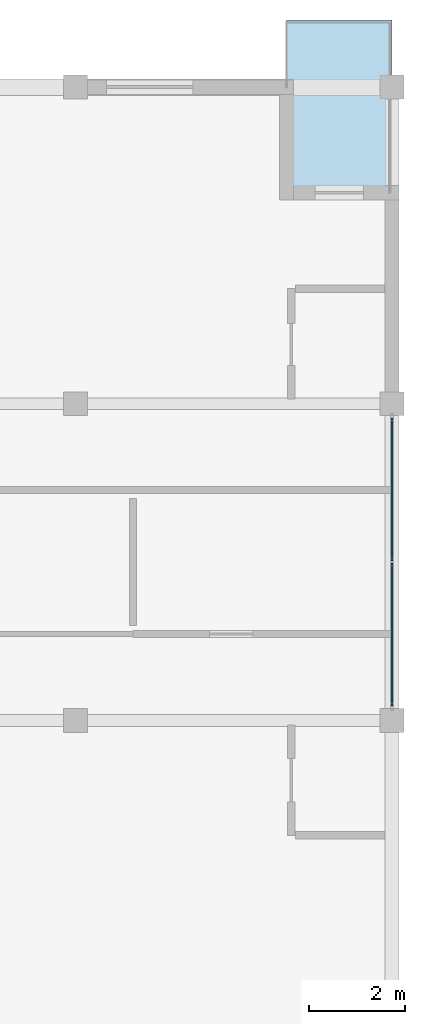
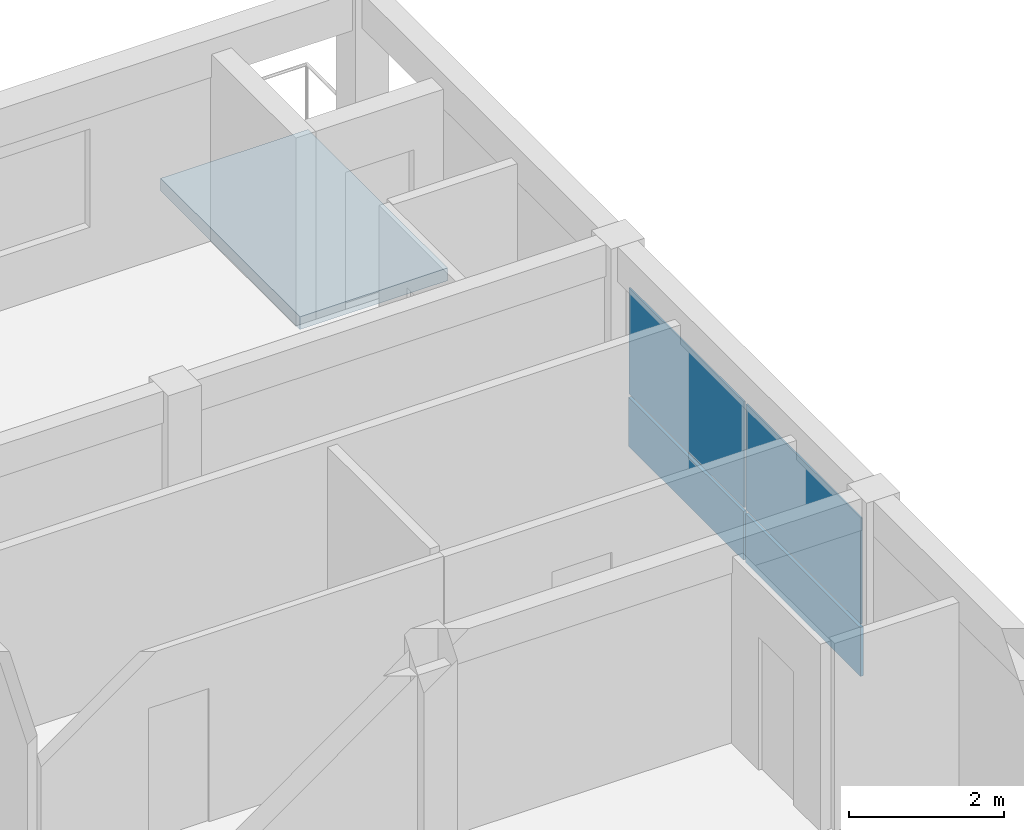
# One storey, part 23 of 45: 4 plates, 1 slab, 1 element without a shape of its own.
"""IFC4 building model written with IfcOpenShell, lengths in metres."""

from ifc_helpers import new_model, si_unit, direction, frame, origin, origin_2d, place, context, subcontext, project, spatial, polyline, rectangle, outline, extrude, material, layer, layer_set, type_object, element, aggregate, save


model = new_model("IFC4")

# Units and contexts
model_context = context("Model", 3, precision=1e-05, world=origin(), true_north=direction((0.0, 1.0)))
body_context = subcontext(model_context, "Body", "Model", "MODEL_VIEW")
ifc_project = project(units=[si_unit("LENGTHUNIT", "METRE"), si_unit("AREAUNIT", "SQUARE_METRE"), si_unit("VOLUMEUNIT", "CUBIC_METRE"), si_unit("PLANEANGLEUNIT", "RADIAN"), si_unit("MASSUNIT", "GRAM", prefix="KILO")], contexts=[model_context])

# Site, building, storey
site_placement = place(None, origin())
site = spatial("IfcSite", under=ifc_project, at=site_placement, CompositionType="ELEMENT")
building_placement = place(site_placement, origin())
building = spatial("IfcBuilding", under=site, at=building_placement, Name="Kernevlak Ridge Housing Community", CompositionType="ELEMENT")
storey_placement = place(building_placement, frame((0.0, 0.0, 14.800048828125)))
storey = spatial("IfcBuildingStorey", under=building, at=storey_placement, Name="L04", CompositionType="ELEMENT", Elevation=14.800048828125)

# Curtain wall, plates
ifc_material_1 = material(Name="Aluminium EN AW-6060 anodised and laminated glass", Category="aluminium")
curtain_wall_type = type_object("IfcCurtainWallType", Name="CW-12", PredefinedType="NOTDEFINED", material=ifc_material_1)
curtain_wall_placement = place(storey_placement, origin())
curtain_wall = element("IfcCurtainWall", 1, at=curtain_wall_placement, inside=storey, type_object=curtain_wall_type, Name="Curtain wall CW-12 CW-L04-069", PredefinedType="NOTDEFINED")
ifc_material_2 = material(Name="Solar-control double glazing glass", Category="glass")
ifc_layer_1 = layer(ifc_material_2, 0.02392578125, Name="Solar-control double glazing glass")
ifc_layer_set_1 = layer_set([ifc_layer_1], Name="Solar-control double glazing glass")
plate_type_1 = type_object("IfcPlateType", Name="CP-01", PredefinedType="CURTAIN_PANEL", material=ifc_layer_set_1)
plate_1_placement = place(storey_placement, frame((152.39990234375, 90.98876953125, 0.87744140625), z_axis=(0.0, 0.0, 1.0), x_axis=(0.0, 1.0, 0.0)))
plate_1 = element("IfcPlate", 2, at=plate_1_placement, type_object=plate_type_1, Name="CW-12 panel 1.2", PredefinedType="CURTAIN_PANEL", context=body_context, shape_type="SweptSolid", body=[
    extrude(rectangle(XDim=2.967529296875, YDim=0.02392578125, at=origin_2d()), origin(), (0.0, 0.0, 1.0), 1.66748046875),
])
plate_2_placement = place(storey_placement, frame((152.39990234375, 94.01123046875, 0.87744140625), z_axis=(0.0, 0.0, 1.0), x_axis=(0.0, 1.0, 0.0)))
plate_2 = element("IfcPlate", 3, at=plate_2_placement, type_object=plate_type_1, Name="CW-12 panel 2.2", PredefinedType="CURTAIN_PANEL", context=body_context, shape_type="SweptSolid", body=[
    extrude(rectangle(XDim=2.967529296875, YDim=0.02392578125, at=origin_2d()), origin(), (0.0, 0.0, 1.0), 1.66748046875),
])
ifc_material_3 = material(Name="Aluminium EN AW-5005 insulated panel", Category="aluminium")
ifc_layer_2 = layer(ifc_material_3, 0.0458984375, Name="Aluminium EN AW-5005 insulated panel")
ifc_layer_set_2 = layer_set([ifc_layer_2], Name="Aluminium EN AW-5005 insulated panel")
plate_type_2 = type_object("IfcPlateType", Name="CP-06", PredefinedType="CURTAIN_PANEL", material=ifc_layer_set_2)
plate_3_placement = place(storey_placement, frame((152.39990234375, 90.98876953125, 0.054931640625), z_axis=(0.0, 0.0, 1.0), x_axis=(0.0, 1.0, 0.0)))
plate_3 = element("IfcPlate", 4, at=plate_3_placement, type_object=plate_type_2, Name="CW-12 panel 1.1", PredefinedType="CURTAIN_PANEL", context=body_context, shape_type="SweptSolid", body=[
    extrude(rectangle(XDim=2.967529296875, YDim=0.0458984375, at=origin_2d()), origin(), (0.0, 0.0, 1.0), 0.767578125),
])
plate_4_placement = place(storey_placement, frame((152.39990234375, 94.01123046875, 0.054931640625), z_axis=(0.0, 0.0, 1.0), x_axis=(0.0, 1.0, 0.0)))
plate_4 = element("IfcPlate", 5, at=plate_4_placement, type_object=plate_type_2, Name="CW-12 panel 2.1", PredefinedType="CURTAIN_PANEL", context=body_context, shape_type="SweptSolid", body=[
    extrude(rectangle(XDim=2.967529296875, YDim=0.0458984375, at=origin_2d()), origin(), (0.0, 0.0, 1.0), 0.767578125),
])
aggregate(curtain_wall, [plate_3, plate_1, plate_4, plate_2])

# Slab
ifc_material_4 = material(Name="Concrete C35/45", Category="concrete")
ifc_layer_3 = layer(ifc_material_4, 0.199951171875, Name="Concrete C35/45")
ifc_layer_set_3 = layer_set([ifc_layer_3], Name="Concrete C35/45")
slab_type = type_object("IfcSlabType", Name="SL-05", PredefinedType="FLOOR", material=ifc_layer_set_3)
slab_placement = place(storey_placement, frame((0.0, 0.0, -0.199951171875)))
element("IfcSlab", 6, at=slab_placement, inside=storey, type_object=slab_type, Name="Block B L04 corner balcony deck slab", PredefinedType="FLOOR", context=body_context, shape_type="SweptSolid", body=[
    extrude(outline(polyline([(150.199951171875, 100.199951171875), (152.39990234375, 100.199951171875), (152.39990234375, 103.800048828125), (150.199951171875, 103.800048828125), (150.199951171875, 100.199951171875)])), origin(), (0.0, 0.0, 1.0), 0.199951171875),
])

save(model, "model.ifc")
